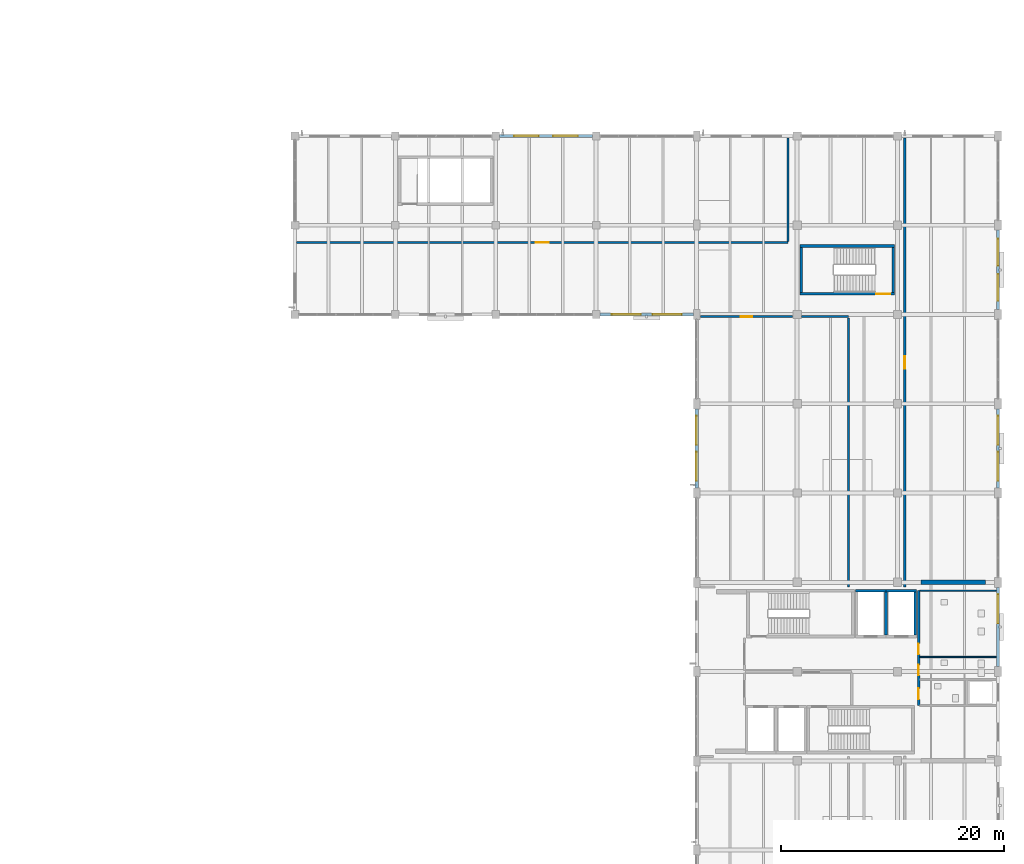
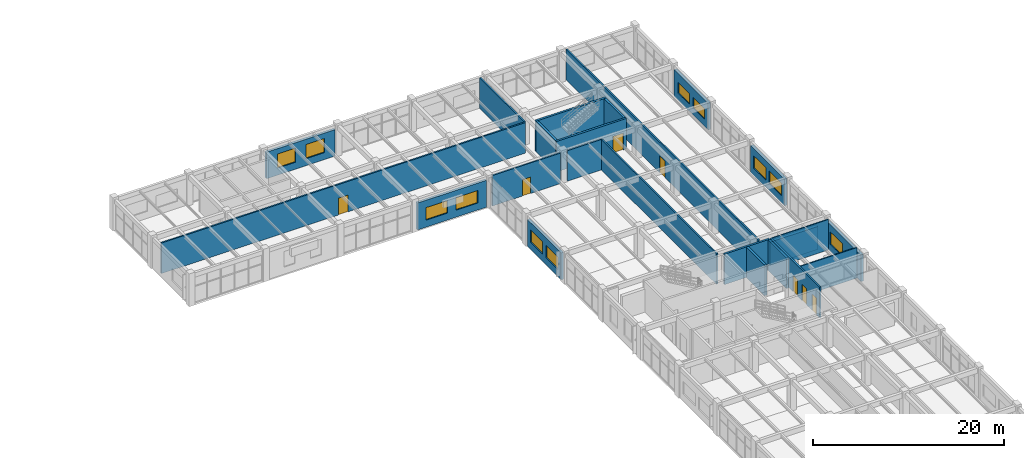
# One storey, part 113 of 128: 24 walls, 11 windows, 7 doors, 18 openings.
"""IFC4 building model written with IfcOpenShell, lengths in metres."""

from ifc_helpers import new_model, si_unit, derived_unit, direction, frame, frame_2d, origin, place, context, subcontext, project, spatial, rectangle, extrude, material, layer, layer_set, type_object, element, fill, save


model = new_model("IFC4")

# Units and contexts
model_context = context("Model", 3, precision=1e-05, world=origin(), true_north=direction((0.0, 1.0)))
body_context = subcontext(model_context, "Body", "Model", "MODEL_VIEW")
ifc_project = project(units=[si_unit("LENGTHUNIT", "METRE"), si_unit("AREAUNIT", "SQUARE_METRE"), si_unit("VOLUMEUNIT", "CUBIC_METRE"), si_unit("PLANEANGLEUNIT", "RADIAN"), si_unit("MASSUNIT", "GRAM", prefix="KILO"), derived_unit("THERMALTRANSMITTANCEUNIT", [(si_unit("MASSUNIT", "GRAM", prefix="KILO"), 1), (si_unit("TIMEUNIT", "SECOND"), -3), (si_unit("THERMODYNAMICTEMPERATUREUNIT", "KELVIN"), -1)])], contexts=[model_context])

# Site, building, storey
site_placement = place(None, origin())
site = spatial("IfcSite", under=ifc_project, at=site_placement, CompositionType="ELEMENT")
building_placement = place(site_placement, origin())
building = spatial("IfcBuilding", under=site, at=building_placement, Name="Zhenchuan Archway Interchange", CompositionType="ELEMENT")
storey_placement = place(building_placement, frame((0.0, 0.0, 14.39990234375)))
storey = spatial("IfcBuildingStorey", under=building, at=storey_placement, Name="L03", CompositionType="ELEMENT", Elevation=14.39990234375)

# Wall, openings, windows
ifc_material_1 = material(Name="Terracotta Masonry", Category="masonry")
ifc_layer_1 = layer(ifc_material_1, 0.300048828125)
ifc_layer_set_1 = layer_set([ifc_layer_1], Name="Terracotta Masonry")
wall_type_1 = type_object("IfcWallType", Name="EW_TERRA_300", PredefinedType="STANDARD", material=ifc_layer_set_1)
wall_1_placement = place(storey_placement, frame((144.0, 72.447998046875, 0.0), z_axis=(0.0, 0.0, 1.0), x_axis=(0.0, 1.0, 0.0)))
wall_1 = element("IfcWall", 1, at=wall_1_placement, inside=storey, type_object=wall_type_1, Name="Exterior wall L03-011", PredefinedType="STANDARD", context=body_context, shape_type="SweptSolid", body=[
    extrude(rectangle(XDim=7.10400390625, YDim=0.300048828125, at=frame_2d((3.552001953125, 0.0))), origin(), (0.0, 0.0, 1.0), 3.43017578125),
])
opening_1_placement = place(wall_1_placement, frame((0.634765625, 0.0, 0.89990234375)))
opening_1 = element("IfcOpeningElement", 2, at=opening_1_placement, cuts=wall_1, Name="Opening W-09", PredefinedType="OPENING", context=body_context, shape_type="SweptSolid", body=[
    extrude(rectangle(XDim=2.60009765625, YDim=1.60009765625, at=frame_2d((1.300048828125, 0.800048828125))), frame((0.0, 0.162109375, 0.0), z_axis=(0.0, -1.0, 0.0), x_axis=(1.0, 0.0, 0.0)), (0.0, 0.0, 1.0), 0.323974609375),
])
opening_2_placement = place(wall_1_placement, frame((3.869384765625, 0.0, 0.89990234375)))
opening_2 = element("IfcOpeningElement", 3, at=opening_2_placement, cuts=wall_1, Name="Opening W-09", PredefinedType="OPENING", context=body_context, shape_type="SweptSolid", body=[
    extrude(rectangle(XDim=2.60009765625, YDim=1.60009765625, at=frame_2d((1.300048828125, 0.800048828125))), frame((0.0, 0.162109375, 0.0), z_axis=(0.0, -1.0, 0.0), x_axis=(1.0, 0.0, 0.0)), (0.0, 0.0, 1.0), 0.323974609375),
])
ifc_material_2 = material(Name="Double Low-E Insulated Glazing", Category="glass")
window_type_1 = type_object("IfcWindowType", Name="WN_MOD_2600x1600", PartitioningType="SINGLE_PANEL", PredefinedType="WINDOW", material=ifc_material_2)
window_1_placement = place(opening_1_placement, origin())
window_1 = element("IfcWindow", 4, at=window_1_placement, inside=storey, type_object=window_type_1, Name="Window L03-0274", OverallHeight=1.60009765625, OverallWidth=2.60009765625, PartitioningType="SINGLE_PANEL", PredefinedType="WINDOW", context=body_context, shape_type="SweptSolid", body=[
    extrude(rectangle(XDim=2.60009765625, YDim=1.60009765625, at=frame_2d((1.300048828125, 0.800048828125))), frame((0.0, 0.030029296875, 0.0), z_axis=(0.0, -1.0, 0.0), x_axis=(1.0, 0.0, 0.0)), (0.0, 0.0, 1.0), 0.06005859375),
])
fill(opening_1, window_1)
window_2_placement = place(opening_2_placement, origin())
window_2 = element("IfcWindow", 5, at=window_2_placement, inside=storey, type_object=window_type_1, Name="Window L03-0275", OverallHeight=1.60009765625, OverallWidth=2.60009765625, PartitioningType="SINGLE_PANEL", PredefinedType="WINDOW", context=body_context, shape_type="SweptSolid", body=[
    extrude(rectangle(XDim=2.60009765625, YDim=1.60009765625, at=frame_2d((1.300048828125, 0.800048828125))), frame((0.0, 0.030029296875, 0.0), z_axis=(0.0, -1.0, 0.0), x_axis=(1.0, 0.0, 0.0)), (0.0, 0.0, 1.0), 0.06005859375),
])
fill(opening_2, window_2)

wall_2_placement = place(storey_placement, frame((143.701904296875, 88.0, 0.0), z_axis=(0.0, 0.0, 1.0), x_axis=(-1.0, 0.0, 0.0)))
wall_2 = element("IfcWall", 6, at=wall_2_placement, inside=storey, type_object=wall_type_1, Name="Exterior wall L03-013", PredefinedType="STANDARD", context=body_context, shape_type="SweptSolid", body=[
    extrude(rectangle(XDim=8.35400390625, YDim=0.300048828125, at=frame_2d((4.177001953125, 0.0))), origin(), (0.0, 0.0, 1.0), 3.440185546875),
])
opening_3_placement = place(wall_2_placement, frame((1.05126953125, 0.0, 0.89990234375)))
opening_3 = element("IfcOpeningElement", 7, at=opening_3_placement, cuts=wall_2, Name="Opening W-09", PredefinedType="OPENING", context=body_context, shape_type="SweptSolid", body=[
    extrude(rectangle(XDim=2.60009765625, YDim=1.60009765625, at=frame_2d((1.300048828125, 0.800048828125))), frame((0.0, 0.162109375, 0.0), z_axis=(0.0, -1.0, 0.0), x_axis=(1.0, 0.0, 0.0)), (0.0, 0.0, 1.0), 0.323974609375),
])
opening_4_placement = place(wall_2_placement, frame((4.70263671875, 0.0, 0.89990234375)))
opening_4 = element("IfcOpeningElement", 8, at=opening_4_placement, cuts=wall_2, Name="Opening W-09", PredefinedType="OPENING", context=body_context, shape_type="SweptSolid", body=[
    extrude(rectangle(XDim=2.60009765625, YDim=1.60009765625, at=frame_2d((1.300048828125, 0.800048828125))), frame((0.0, 0.162109375, 0.0), z_axis=(0.0, -1.0, 0.0), x_axis=(1.0, 0.0, 0.0)), (0.0, 0.0, 1.0), 0.323974609375),
])
window_3_placement = place(opening_3_placement, origin())
window_3 = element("IfcWindow", 9, at=window_3_placement, inside=storey, type_object=window_type_1, Name="Window L03-0276", OverallHeight=1.60009765625, OverallWidth=2.60009765625, PartitioningType="SINGLE_PANEL", PredefinedType="WINDOW", context=body_context, shape_type="SweptSolid", body=[
    extrude(rectangle(XDim=2.60009765625, YDim=1.60009765625, at=frame_2d((1.300048828125, 0.800048828125))), frame((0.0, 0.030029296875, 0.0), z_axis=(0.0, -1.0, 0.0), x_axis=(1.0, 0.0, 0.0)), (0.0, 0.0, 1.0), 0.06005859375),
])
fill(opening_3, window_3)
window_4_placement = place(opening_4_placement, origin())
window_4 = element("IfcWindow", 10, at=window_4_placement, inside=storey, type_object=window_type_1, Name="Window L03-0277", OverallHeight=1.60009765625, OverallWidth=2.60009765625, PartitioningType="SINGLE_PANEL", PredefinedType="WINDOW", context=body_context, shape_type="SweptSolid", body=[
    extrude(rectangle(XDim=2.60009765625, YDim=1.60009765625, at=frame_2d((1.300048828125, 0.800048828125))), frame((0.0, 0.030029296875, 0.0), z_axis=(0.0, -1.0, 0.0), x_axis=(1.0, 0.0, 0.0)), (0.0, 0.0, 1.0), 0.06005859375),
])
fill(opening_4, window_4)

wall_3_placement = place(storey_placement, frame((126.347900390625, 104.0, 0.0), z_axis=(0.0, 0.0, 1.0), x_axis=(1.0, 0.0, 0.0)))
wall_3 = element("IfcWall", 11, at=wall_3_placement, inside=storey, type_object=wall_type_1, Name="Exterior wall L03-021", PredefinedType="STANDARD", context=body_context, shape_type="SweptSolid", body=[
    extrude(rectangle(XDim=8.30419921875, YDim=0.300048828125, at=frame_2d((4.152099609375, 0.0))), origin(), (0.0, 0.0, 1.0), 3.39013671875),
])
opening_5_placement = place(wall_3_placement, frame((1.30126953125, 0.0, 0.89990234375)))
opening_5 = element("IfcOpeningElement", 12, at=opening_5_placement, cuts=wall_3, Name="Opening W-08", PredefinedType="OPENING", context=body_context, shape_type="SweptSolid", body=[
    extrude(rectangle(XDim=2.199951171875, YDim=1.800048828125, at=frame_2d((1.10009765625, 0.89990234375))), frame((0.0, 0.162109375, 0.0), z_axis=(0.0, -1.0, 0.0), x_axis=(1.0, 0.0, 0.0)), (0.0, 0.0, 1.0), 0.323974609375),
])
opening_6_placement = place(wall_3_placement, frame((4.802734375, 0.0, 0.89990234375)))
opening_6 = element("IfcOpeningElement", 13, at=opening_6_placement, cuts=wall_3, Name="Opening W-08", PredefinedType="OPENING", context=body_context, shape_type="SweptSolid", body=[
    extrude(rectangle(XDim=2.199951171875, YDim=1.800048828125, at=frame_2d((1.10009765625, 0.89990234375))), frame((0.0, 0.162109375, 0.0), z_axis=(0.0, -1.0, 0.0), x_axis=(1.0, 0.0, 0.0)), (0.0, 0.0, 1.0), 0.323974609375),
])
window_type_2 = type_object("IfcWindowType", Name="WN_MOD_2200x1800", PartitioningType="SINGLE_PANEL", PredefinedType="WINDOW", material=ifc_material_2)
window_5_placement = place(opening_5_placement, origin())
window_5 = element("IfcWindow", 14, at=window_5_placement, inside=storey, type_object=window_type_2, Name="Window L03-0283", OverallHeight=1.800048828125, OverallWidth=2.199951171875, PartitioningType="SINGLE_PANEL", PredefinedType="WINDOW", context=body_context, shape_type="SweptSolid", body=[
    extrude(rectangle(XDim=2.199951171875, YDim=1.800048828125, at=frame_2d((1.10009765625, 0.89990234375))), frame((0.0, 0.030029296875, 0.0), z_axis=(0.0, -1.0, 0.0), x_axis=(1.0, 0.0, 0.0)), (0.0, 0.0, 1.0), 0.06005859375),
])
fill(opening_5, window_5)
window_6_placement = place(opening_6_placement, origin())
window_6 = element("IfcWindow", 15, at=window_6_placement, inside=storey, type_object=window_type_2, Name="Window L03-0284", OverallHeight=1.800048828125, OverallWidth=2.199951171875, PartitioningType="SINGLE_PANEL", PredefinedType="WINDOW", context=body_context, shape_type="SweptSolid", body=[
    extrude(rectangle(XDim=2.199951171875, YDim=1.800048828125, at=frame_2d((1.10009765625, 0.89990234375))), frame((0.0, 0.030029296875, 0.0), z_axis=(0.0, -1.0, 0.0), x_axis=(1.0, 0.0, 0.0)), (0.0, 0.0, 1.0), 0.06005859375),
])
fill(opening_6, window_6)

wall_4_placement = place(storey_placement, frame((171.0, 95.552001953125, 0.0), z_axis=(0.0, 0.0, 1.0), x_axis=(0.0, -1.0, 0.0)))
wall_4 = element("IfcWall", 16, at=wall_4_placement, inside=storey, type_object=wall_type_1, Name="Exterior wall L03-027", PredefinedType="STANDARD", context=body_context, shape_type="SweptSolid", body=[
    extrude(rectangle(XDim=7.10400390625, YDim=0.300048828125, at=frame_2d((3.552001953125, 0.0))), origin(), (0.0, 0.0, 1.0), 3.43017578125),
])
opening_7_placement = place(wall_4_placement, frame((0.76806640625, 0.0, 0.89990234375)))
opening_7 = element("IfcOpeningElement", 17, at=opening_7_placement, cuts=wall_4, Name="Opening W-11", PredefinedType="OPENING", context=body_context, shape_type="SweptSolid", body=[
    extrude(rectangle(XDim=2.39990234375, YDim=1.35009765625, at=frame_2d((1.199951171875, 0.675048828125))), frame((0.0, 0.162109375, 0.0), z_axis=(0.0, -1.0, 0.0), x_axis=(1.0, 0.0, 0.0)), (0.0, 0.0, 1.0), 0.323974609375),
])
opening_8_placement = place(wall_4_placement, frame((3.93603515625, 0.0, 0.89990234375)))
opening_8 = element("IfcOpeningElement", 18, at=opening_8_placement, cuts=wall_4, Name="Opening W-11", PredefinedType="OPENING", context=body_context, shape_type="SweptSolid", body=[
    extrude(rectangle(XDim=2.39990234375, YDim=1.35009765625, at=frame_2d((1.199951171875, 0.675048828125))), frame((0.0, 0.162109375, 0.0), z_axis=(0.0, -1.0, 0.0), x_axis=(1.0, 0.0, 0.0)), (0.0, 0.0, 1.0), 0.323974609375),
])
window_type_3 = type_object("IfcWindowType", Name="WN_CLER_2400x1350", PartitioningType="SINGLE_PANEL", PredefinedType="WINDOW", material=ifc_material_2)
window_7_placement = place(opening_7_placement, origin())
window_7 = element("IfcWindow", 19, at=window_7_placement, inside=storey, type_object=window_type_3, Name="Window L03-0289", OverallHeight=1.35009765625, OverallWidth=2.39990234375, PartitioningType="SINGLE_PANEL", PredefinedType="WINDOW", context=body_context, shape_type="SweptSolid", body=[
    extrude(rectangle(XDim=2.39990234375, YDim=1.35009765625, at=frame_2d((1.199951171875, 0.675048828125))), frame((0.0, 0.030029296875, 0.0), z_axis=(0.0, -1.0, 0.0), x_axis=(1.0, 0.0, 0.0)), (0.0, 0.0, 1.0), 0.06005859375),
])
fill(opening_7, window_7)
window_8_placement = place(opening_8_placement, origin())
window_8 = element("IfcWindow", 20, at=window_8_placement, inside=storey, type_object=window_type_3, Name="Window L03-0290", OverallHeight=1.35009765625, OverallWidth=2.39990234375, PartitioningType="SINGLE_PANEL", PredefinedType="WINDOW", context=body_context, shape_type="SweptSolid", body=[
    extrude(rectangle(XDim=2.39990234375, YDim=1.35009765625, at=frame_2d((1.199951171875, 0.675048828125))), frame((0.0, 0.030029296875, 0.0), z_axis=(0.0, -1.0, 0.0), x_axis=(1.0, 0.0, 0.0)), (0.0, 0.0, 1.0), 0.06005859375),
])
fill(opening_8, window_8)

wall_5_placement = place(storey_placement, frame((171.0, 79.552001953125, 0.0), z_axis=(0.0, 0.0, 1.0), x_axis=(0.0, -1.0, 0.0)))
wall_5 = element("IfcWall", 21, at=wall_5_placement, inside=storey, type_object=wall_type_1, Name="Exterior wall L03-029", PredefinedType="STANDARD", context=body_context, shape_type="SweptSolid", body=[
    extrude(rectangle(XDim=7.10400390625, YDim=0.300048828125, at=frame_2d((3.552001953125, 0.0))), origin(), (0.0, 0.0, 1.0), 3.43017578125),
])
opening_9_placement = place(wall_5_placement, frame((0.634765625, 0.0, 0.89990234375)))
opening_9 = element("IfcOpeningElement", 22, at=opening_9_placement, cuts=wall_5, Name="Opening W-09", PredefinedType="OPENING", context=body_context, shape_type="SweptSolid", body=[
    extrude(rectangle(XDim=2.60009765625, YDim=1.60009765625, at=frame_2d((1.300048828125, 0.800048828125))), frame((0.0, 0.162109375, 0.0), z_axis=(0.0, -1.0, 0.0), x_axis=(1.0, 0.0, 0.0)), (0.0, 0.0, 1.0), 0.323974609375),
])
opening_10_placement = place(wall_5_placement, frame((3.869384765625, 0.0, 0.89990234375)))
opening_10 = element("IfcOpeningElement", 23, at=opening_10_placement, cuts=wall_5, Name="Opening W-09", PredefinedType="OPENING", context=body_context, shape_type="SweptSolid", body=[
    extrude(rectangle(XDim=2.60009765625, YDim=1.60009765625, at=frame_2d((1.300048828125, 0.800048828125))), frame((0.0, 0.162109375, 0.0), z_axis=(0.0, -1.0, 0.0), x_axis=(1.0, 0.0, 0.0)), (0.0, 0.0, 1.0), 0.323974609375),
])
window_9_placement = place(opening_9_placement, origin())
window_9 = element("IfcWindow", 24, at=window_9_placement, inside=storey, type_object=window_type_1, Name="Window L03-0291", OverallHeight=1.60009765625, OverallWidth=2.60009765625, PartitioningType="SINGLE_PANEL", PredefinedType="WINDOW", context=body_context, shape_type="SweptSolid", body=[
    extrude(rectangle(XDim=2.60009765625, YDim=1.60009765625, at=frame_2d((1.300048828125, 0.800048828125))), frame((0.0, 0.030029296875, 0.0), z_axis=(0.0, -1.0, 0.0), x_axis=(1.0, 0.0, 0.0)), (0.0, 0.0, 1.0), 0.06005859375),
])
fill(opening_9, window_9)
window_10_placement = place(opening_10_placement, origin())
window_10 = element("IfcWindow", 25, at=window_10_placement, inside=storey, type_object=window_type_1, Name="Window L03-0292", OverallHeight=1.60009765625, OverallWidth=2.60009765625, PartitioningType="SINGLE_PANEL", PredefinedType="WINDOW", context=body_context, shape_type="SweptSolid", body=[
    extrude(rectangle(XDim=2.60009765625, YDim=1.60009765625, at=frame_2d((1.300048828125, 0.800048828125))), frame((0.0, 0.030029296875, 0.0), z_axis=(0.0, -1.0, 0.0), x_axis=(1.0, 0.0, 0.0)), (0.0, 0.0, 1.0), 0.06005859375),
])
fill(opening_10, window_10)

# Wall, opening, window
wall_6_placement = place(storey_placement, frame((171.0, 63.552001953125, 0.0), z_axis=(0.0, 0.0, 1.0), x_axis=(0.0, -1.0, 0.0)))
wall_6 = element("IfcWall", 26, at=wall_6_placement, inside=storey, type_object=wall_type_1, Name="Exterior wall L03-031", PredefinedType="STANDARD", context=body_context, shape_type="SweptSolid", body=[
    extrude(rectangle(XDim=7.10400390625, YDim=0.300048828125, at=frame_2d((3.552001953125, 0.0))), origin(), (0.0, 0.0, 1.0), 3.43017578125),
])
opening_11_placement = place(wall_6_placement, frame((0.634765625, 0.0, 0.89990234375)))
opening_11 = element("IfcOpeningElement", 27, at=opening_11_placement, cuts=wall_6, Name="Opening W-09", PredefinedType="OPENING", context=body_context, shape_type="SweptSolid", body=[
    extrude(rectangle(XDim=2.60009765625, YDim=1.60009765625, at=frame_2d((1.300048828125, 0.800048828125))), frame((0.0, 0.162109375, 0.0), z_axis=(0.0, -1.0, 0.0), x_axis=(1.0, 0.0, 0.0)), (0.0, 0.0, 1.0), 0.323974609375),
])
window_11_placement = place(opening_11_placement, origin())
window_11 = element("IfcWindow", 28, at=window_11_placement, inside=storey, type_object=window_type_1, Name="Window L03-0293", OverallHeight=1.60009765625, OverallWidth=2.60009765625, PartitioningType="SINGLE_PANEL", PredefinedType="WINDOW", context=body_context, shape_type="SweptSolid", body=[
    extrude(rectangle(XDim=2.60009765625, YDim=1.60009765625, at=frame_2d((1.300048828125, 0.800048828125))), frame((0.0, 0.030029296875, 0.0), z_axis=(0.0, -1.0, 0.0), x_axis=(1.0, 0.0, 0.0)), (0.0, 0.0, 1.0), 0.06005859375),
])
fill(opening_11, window_11)

# Wall
ifc_material_3 = material(Name="Concrete C50", Category="concrete")
ifc_layer_2 = layer(ifc_material_3, 0.3798828125)
ifc_layer_set_2 = layer_set([ifc_layer_2], Name="Concrete C50")
wall_type_2 = type_object("IfcWallType", Name="WL_CORE_380", PredefinedType="SHEAR", material=ifc_layer_set_2)
wall_7_placement = place(storey_placement, frame((164.10009765625, 64.0, 0.0), z_axis=(0.0, 0.0, 1.0), x_axis=(1.0, 0.0, 0.0)))
element("IfcWall", 29, at=wall_7_placement, inside=storey, type_object=wall_type_2, Name="Operations lateral shear wall E-N (L03)", PredefinedType="SHEAR", context=body_context, shape_type="SweptSolid", body=[
    extrude(rectangle(XDim=5.7998046875, YDim=0.3798828125, at=frame_2d((2.89990234375, 0.0))), origin(), (0.0, 0.0, 1.0), 2.9501953125),
])

# Wall, openings, doors
ifc_material_4 = material(Name="Autoclaved Aerated Concrete Block", Category="concrete")
ifc_layer_3 = layer(ifc_material_4, 0.199951171875)
ifc_layer_set_3 = layer_set([ifc_layer_3], Name="Autoclaved Aerated Concrete Block")
wall_type_3 = type_object("IfcWallType", Name="WL_FIRE_200", PredefinedType="STANDARD", material=ifc_layer_set_3)
wall_8_placement = place(storey_placement, frame((163.89990234375, 52.949951171875, 0.0), z_axis=(0.0, 0.0, 1.0), x_axis=(0.0, 1.0, 0.0)))
wall_8 = element("IfcWall", 30, at=wall_8_placement, inside=storey, type_object=wall_type_3, Name="Sanitary block west wall (L03)", PredefinedType="STANDARD", context=body_context, shape_type="SweptSolid", body=[
    extrude(rectangle(XDim=10.300048828125, YDim=0.199951171875, at=frame_2d((5.14990234375, 0.0))), origin(), (0.0, 0.0, 1.0), 3.900146484375),
])
opening_12_placement = place(wall_8_placement, frame((0.550048828125, 0.0, 0.0)))
opening_12 = element("IfcOpeningElement", 31, at=opening_12_placement, cuts=wall_8, Name="Opening ID-02", PredefinedType="OPENING", context=body_context, shape_type="SweptSolid", body=[
    extrude(rectangle(XDim=1.0, YDim=2.10009765625, at=frame_2d((0.5, 1.050048828125))), frame((0.0, 0.11181640625, 0.0), z_axis=(0.0, -1.0, 0.0), x_axis=(1.0, 0.0, 0.0)), (0.0, 0.0, 1.0), 0.223876953125),
])
opening_13_placement = place(wall_8_placement, frame((2.699951171875, 0.0, 0.0)))
opening_13 = element("IfcOpeningElement", 32, at=opening_13_placement, cuts=wall_8, Name="Opening ID-03", PredefinedType="OPENING", context=body_context, shape_type="SweptSolid", body=[
    extrude(rectangle(XDim=0.949951171875, YDim=2.10009765625, at=frame_2d((0.47509765625, 1.050048828125))), frame((0.0, 0.11181640625, 0.0), z_axis=(0.0, -1.0, 0.0), x_axis=(1.0, 0.0, 0.0)), (0.0, 0.0, 1.0), 0.223876953125),
])
opening_14_placement = place(wall_8_placement, frame((4.60009765625, 0.0, 0.0)))
opening_14 = element("IfcOpeningElement", 33, at=opening_14_placement, cuts=wall_8, Name="Opening ID-03", PredefinedType="OPENING", context=body_context, shape_type="SweptSolid", body=[
    extrude(rectangle(XDim=0.949951171875, YDim=2.10009765625, at=frame_2d((0.47509765625, 1.050048828125))), frame((0.0, 0.11181640625, 0.0), z_axis=(0.0, -1.0, 0.0), x_axis=(1.0, 0.0, 0.0)), (0.0, 0.0, 1.0), 0.223876953125),
])
ifc_material_5 = material(Name="Hardwood Timber", Category="wood")
door_type_1 = type_object("IfcDoorType", Name="DR_OPS_100", OperationType="NOTDEFINED", PredefinedType="DOOR", material=ifc_material_5)
door_1_placement = place(opening_12_placement, origin())
door_1 = element("IfcDoor", 34, at=door_1_placement, inside=storey, type_object=door_type_1, Name="Accessible WC door (L03)", OperationType="SINGLE_SWING_LEFT", OverallHeight=2.10009765625, OverallWidth=1.0, PredefinedType="DOOR", context=body_context, shape_type="SweptSolid", body=[
    extrude(rectangle(XDim=1.0, YDim=2.10009765625, at=frame_2d((0.5, 1.050048828125))), frame((0.0, 0.02490234375, 0.0), z_axis=(0.0, -1.0, 0.0), x_axis=(1.0, 0.0, 0.0)), (0.0, 0.0, 1.0), 0.050048828125),
])
fill(opening_12, door_1)
door_type_2 = type_object("IfcDoorType", Name="DR_WC_95", OperationType="NOTDEFINED", PredefinedType="DOOR", material=ifc_material_5)
door_2_placement = place(opening_13_placement, origin())
door_2 = element("IfcDoor", 35, at=door_2_placement, inside=storey, type_object=door_type_2, Name="Male toilet door (L03)", OperationType="SINGLE_SWING_RIGHT", OverallHeight=2.10009765625, OverallWidth=0.949951171875, PredefinedType="DOOR", context=body_context, shape_type="SweptSolid", body=[
    extrude(rectangle(XDim=0.949951171875, YDim=2.10009765625, at=frame_2d((0.47509765625, 1.050048828125))), frame((0.0, 0.02490234375, 0.0), z_axis=(0.0, -1.0, 0.0), x_axis=(1.0, 0.0, 0.0)), (0.0, 0.0, 1.0), 0.050048828125),
])
fill(opening_13, door_2)
door_3_placement = place(opening_14_placement, origin())
door_3 = element("IfcDoor", 36, at=door_3_placement, inside=storey, type_object=door_type_2, Name="Female toilet door (L03)", OperationType="SINGLE_SWING_LEFT", OverallHeight=2.10009765625, OverallWidth=0.949951171875, PredefinedType="DOOR", context=body_context, shape_type="SweptSolid", body=[
    extrude(rectangle(XDim=0.949951171875, YDim=2.10009765625, at=frame_2d((0.47509765625, 1.050048828125))), frame((0.0, 0.02490234375, 0.0), z_axis=(0.0, -1.0, 0.0), x_axis=(1.0, 0.0, 0.0)), (0.0, 0.0, 1.0), 0.050048828125),
])
fill(opening_14, door_3)

# Walls
ifc_material_6 = material(Name="Concrete C40", Category="concrete")
ifc_layer_4 = layer(ifc_material_6, 0.239990234375)
ifc_layer_set_4 = layer_set([ifc_layer_4], Name="Concrete C40")
wall_type_4 = type_object("IfcWallType", Name="WL_LIFT_240", PredefinedType="SHEAR", material=ifc_layer_set_4)
wall_9_placement = place(storey_placement, frame((160.97509765625, 63.25, 0.0), z_axis=(0.0, 0.0, 1.0), x_axis=(-1.0, 0.0, 0.0)))
element("IfcWall", 37, at=wall_9_placement, inside=storey, type_object=wall_type_4, Name="Lift LF-06 north shaft wall (L03)", PredefinedType="SHEAR", context=body_context, shape_type="SweptSolid", body=[
    extrude(rectangle(XDim=2.7451171875, YDim=0.239990234375, at=frame_2d((1.37255859375, 0.0))), origin(), (0.0, 0.0, 1.0), 3.900146484375),
])
wall_10_placement = place(storey_placement, frame((160.97509765625, 59.27001953125, 0.0), z_axis=(0.0, 0.0, 1.0), x_axis=(0.0, 1.0, 0.0)))
element("IfcWall", 38, at=wall_10_placement, inside=storey, type_object=wall_type_4, Name="Lift LF-06 east shaft wall (L03)", PredefinedType="SHEAR", context=body_context, shape_type="SweptSolid", body=[
    extrude(rectangle(XDim=3.85986328125, YDim=0.239990234375, at=frame_2d((1.929931640625, 0.0))), origin(), (0.0, 0.0, 1.0), 3.900146484375),
])
wall_11_placement = place(storey_placement, frame((163.719970703125, 63.25, 0.0), z_axis=(0.0, 0.0, 1.0), x_axis=(-1.0, 0.0, 0.0)))
element("IfcWall", 39, at=wall_11_placement, inside=storey, type_object=wall_type_4, Name="Lift LF-07 north shaft wall (L03)", PredefinedType="SHEAR", context=body_context, shape_type="SweptSolid", body=[
    extrude(rectangle(XDim=2.744873046875, YDim=0.239990234375, at=frame_2d((1.37255859375, 0.0))), origin(), (0.0, 0.0, 1.0), 3.900146484375),
])
wall_12_placement = place(storey_placement, frame((163.60009765625, 59.27001953125, 0.0), z_axis=(0.0, 0.0, 1.0), x_axis=(0.0, 1.0, 0.0)))
element("IfcWall", 40, at=wall_12_placement, inside=storey, type_object=wall_type_4, Name="Lift LF-07 east shaft wall (L03)", PredefinedType="SHEAR", context=body_context, shape_type="SweptSolid", body=[
    extrude(rectangle(XDim=3.85986328125, YDim=0.239990234375, at=frame_2d((1.929931640625, 0.0))), origin(), (0.0, 0.0, 1.0), 3.900146484375),
])

# Wall, opening, door
ifc_material_7 = material(Name="Concrete Block Masonry", Category="masonry")
ifc_layer_5 = layer(ifc_material_7, 0.179931640625)
ifc_layer_set_5 = layer_set([ifc_layer_5], Name="Concrete Block Masonry")
wall_type_5 = type_object("IfcWallType", Name="WL_PART_180", PredefinedType="STANDARD", material=ifc_layer_set_5)
wall_13_placement = place(storey_placement, frame((108.1650390625, 94.449951171875, 0.0), z_axis=(0.0, 0.0, 1.0), x_axis=(1.0, 0.0, 0.0)))
wall_13 = element("IfcWall", 41, at=wall_13_placement, inside=storey, type_object=wall_type_5, Name="Multimodal Timetable Planning Suite S partition (L03)", PredefinedType="STANDARD", context=body_context, shape_type="SweptSolid", body=[
    extrude(rectangle(XDim=44.034912109375, YDim=0.179931640625, at=frame_2d((22.017578125, 0.0))), origin(), (0.0, 0.0, 1.0), 3.900146484375),
])
opening_15_placement = place(wall_13_placement, frame((21.425048828125, 0.0, 0.0)))
opening_15 = element("IfcOpeningElement", 42, at=opening_15_placement, cuts=wall_13, Name="Opening ID-06", PredefinedType="OPENING", context=body_context, shape_type="SweptSolid", body=[
    extrude(rectangle(XDim=1.14990234375, YDim=2.14990234375, at=frame_2d((0.574951171875, 1.074951171875))), frame((0.0, 0.10205078125, 0.0), z_axis=(0.0, -1.0, 0.0), x_axis=(1.0, 0.0, 0.0)), (0.0, 0.0, 1.0), 0.203857421875),
])
door_type_3 = type_object("IfcDoorType", Name="DR_CTRL_115", OperationType="NOTDEFINED", PredefinedType="DOOR", material=ifc_material_5)
door_4_placement = place(opening_15_placement, origin())
door_4 = element("IfcDoor", 43, at=door_4_placement, inside=storey, type_object=door_type_3, Name="Multimodal Timetable Planning Suite door (L03)", OperationType="SINGLE_SWING_LEFT", OverallHeight=2.14990234375, OverallWidth=1.14990234375, PredefinedType="DOOR", context=body_context, shape_type="SweptSolid", body=[
    extrude(rectangle(XDim=1.14990234375, YDim=2.14990234375, at=frame_2d((0.574951171875, 1.074951171875))), frame((0.0, 0.02490234375, 0.0), z_axis=(0.0, -1.0, 0.0), x_axis=(1.0, 0.0, 0.0)), (0.0, 0.0, 1.0), 0.050048828125),
])
fill(opening_15, door_4)

# Wall
wall_14_placement = place(storey_placement, frame((152.199951171875, 94.550048828125, 0.0), z_axis=(0.0, 0.0, 1.0), x_axis=(0.0, 1.0, 0.0)))
element("IfcWall", 44, at=wall_14_placement, inside=storey, type_object=wall_type_5, Name="Multimodal Timetable Planning Suite E partition (L03)", PredefinedType="STANDARD", context=body_context, shape_type="SweptSolid", body=[
    extrude(rectangle(XDim=9.284912109375, YDim=0.179931640625, at=frame_2d((4.642578125, 0.0))), origin(), (0.0, 0.0, 1.0), 3.900146484375),
])

# Wall, opening, door
wall_15_placement = place(storey_placement, frame((162.64990234375, 63.60009765625, 0.0), z_axis=(0.0, 0.0, 1.0), x_axis=(0.0, 1.0, 0.0)))
wall_15 = element("IfcWall", 45, at=wall_15_placement, inside=storey, type_object=wall_type_5, Name="Regional Fare Clearing and Audit Suite W partition (L03)", PredefinedType="STANDARD", context=body_context, shape_type="SweptSolid", body=[
    extrude(rectangle(XDim=40.23486328125, YDim=0.179931640625, at=frame_2d((20.117431640625, 0.0))), origin(), (0.0, 0.0, 1.0), 3.900146484375),
])
opening_16_placement = place(wall_15_placement, frame((19.52490234375, 0.0, 0.0)))
opening_16 = element("IfcOpeningElement", 46, at=opening_16_placement, cuts=wall_15, Name="Opening ID-06", PredefinedType="OPENING", context=body_context, shape_type="SweptSolid", body=[
    extrude(rectangle(XDim=1.14990234375, YDim=2.14990234375, at=frame_2d((0.574951171875, 1.074951171875))), frame((0.0, 0.10205078125, 0.0), z_axis=(0.0, -1.0, 0.0), x_axis=(1.0, 0.0, 0.0)), (0.0, 0.0, 1.0), 0.203857421875),
])
door_5_placement = place(opening_16_placement, origin())
door_5 = element("IfcDoor", 47, at=door_5_placement, inside=storey, type_object=door_type_3, Name="Regional Fare Clearing and Audit Suite door (L03)", OperationType="SINGLE_SWING_LEFT", OverallHeight=2.14990234375, OverallWidth=1.14990234375, PredefinedType="DOOR", context=body_context, shape_type="SweptSolid", body=[
    extrude(rectangle(XDim=1.14990234375, YDim=2.14990234375, at=frame_2d((0.574951171875, 1.074951171875))), frame((0.0, 0.02490234375, 0.0), z_axis=(0.0, -1.0, 0.0), x_axis=(1.0, 0.0, 0.0)), (0.0, 0.0, 1.0), 0.050048828125),
])
fill(opening_16, door_5)

wall_16_placement = place(storey_placement, frame((144.324951171875, 87.800048828125, 0.0), z_axis=(0.0, 0.0, 1.0), x_axis=(1.0, 0.0, 0.0)))
wall_16 = element("IfcWall", 48, at=wall_16_placement, inside=storey, type_object=wall_type_5, Name="Shift Controllers Quiet Recovery Lounge N partition (L03)", PredefinedType="STANDARD", context=body_context, shape_type="SweptSolid", body=[
    extrude(rectangle(XDim=8.275146484375, YDim=0.179931640625, at=frame_2d((4.1376953125, 0.0))), origin(), (0.0, 0.0, 1.0), 3.900146484375),
])
opening_17_placement = place(wall_16_placement, frame((3.637451171875, 0.0, 0.0)))
opening_17 = element("IfcOpeningElement", 49, at=opening_17_placement, cuts=wall_16, Name="Opening ID-02", PredefinedType="OPENING", context=body_context, shape_type="SweptSolid", body=[
    extrude(rectangle(XDim=1.0, YDim=2.10009765625, at=frame_2d((0.5, 1.050048828125))), frame((0.0, 0.10205078125, 0.0), z_axis=(0.0, -1.0, 0.0), x_axis=(1.0, 0.0, 0.0)), (0.0, 0.0, 1.0), 0.203857421875),
])
door_6_placement = place(opening_17_placement, origin())
door_6 = element("IfcDoor", 50, at=door_6_placement, inside=storey, type_object=door_type_1, Name="Shift Controllers Quiet Recovery Lounge door (L03)", OperationType="SINGLE_SWING_LEFT", OverallHeight=2.10009765625, OverallWidth=1.0, PredefinedType="DOOR", context=body_context, shape_type="SweptSolid", body=[
    extrude(rectangle(XDim=1.0, YDim=2.10009765625, at=frame_2d((0.5, 1.050048828125))), frame((0.0, 0.02490234375, 0.0), z_axis=(0.0, -1.0, 0.0), x_axis=(1.0, 0.0, 0.0)), (0.0, 0.0, 1.0), 0.050048828125),
])
fill(opening_17, door_6)

# Walls
wall_17_placement = place(storey_placement, frame((153.39990234375, 87.800048828125, 0.0), z_axis=(0.0, 0.0, 1.0), x_axis=(1.0, 0.0, 0.0)))
element("IfcWall", 51, at=wall_17_placement, inside=storey, type_object=wall_type_5, Name="Shift Controllers Quiet Recovery Lounge N partition (L03)", PredefinedType="STANDARD", context=body_context, shape_type="SweptSolid", body=[
    extrude(rectangle(XDim=4.2001953125, YDim=0.179931640625, at=frame_2d((2.10009765625, 0.0))), origin(), (0.0, 0.0, 1.0), 3.900146484375),
])
wall_18_placement = place(storey_placement, frame((157.60009765625, 63.60009765625, 0.0), z_axis=(0.0, 0.0, 1.0), x_axis=(0.0, 1.0, 0.0)))
element("IfcWall", 52, at=wall_18_placement, inside=storey, type_object=wall_type_5, Name="Shift Controllers Quiet Recovery Lounge E partition (L03)", PredefinedType="STANDARD", context=body_context, shape_type="SweptSolid", body=[
    extrude(rectangle(XDim=24.099853515625, YDim=0.179931640625, at=frame_2d((12.0498046875, 0.0))), origin(), (0.0, 0.0, 1.0), 3.900146484375),
])

# Wall, opening, door
ifc_layer_6 = layer(ifc_material_6, 0.25)
ifc_layer_set_6 = layer_set([ifc_layer_6], Name="Concrete C40")
wall_type_6 = type_object("IfcWallType", Name="WL_STAIR_250", PredefinedType="SHEAR", material=ifc_layer_set_6)
wall_19_placement = place(storey_placement, frame((153.2548828125, 89.85009765625, 0.0), z_axis=(0.0, 0.0, 1.0), x_axis=(1.0, 0.0, 0.0)))
wall_19 = element("IfcWall", 53, at=wall_19_placement, inside=storey, type_object=wall_type_6, Name="Stair ST-O3 south wall (L03)", PredefinedType="SHEAR", context=body_context, shape_type="SweptSolid", body=[
    extrude(rectangle(XDim=8.490234375, YDim=0.25, at=frame_2d((4.2451171875, 0.0))), origin(), (0.0, 0.0, 1.0), 3.900146484375),
])
opening_18_placement = place(wall_19_placement, frame((6.844970703125, 0.0, 0.0)))
opening_18 = element("IfcOpeningElement", 54, at=opening_18_placement, cuts=wall_19, Name="Opening FD-01", PredefinedType="OPENING", context=body_context, shape_type="SweptSolid", body=[
    extrude(rectangle(XDim=1.25, YDim=2.14990234375, at=frame_2d((0.625, 1.074951171875))), frame((0.0, 0.136962890625, 0.0), z_axis=(0.0, -1.0, 0.0), x_axis=(1.0, 0.0, 0.0)), (0.0, 0.0, 1.0), 0.27392578125),
])
ifc_material_8 = material(Name="Painted Galvanised Steel", Category="steel")
door_type_4 = type_object("IfcDoorType", Name="DR_STAIR_FD90", OperationType="NOTDEFINED", PredefinedType="DOOR", material=ifc_material_8)
door_7_placement = place(opening_18_placement, origin())
door_7 = element("IfcDoor", 55, at=door_7_placement, inside=storey, type_object=door_type_4, Name="Stair ST-O3 fire door (L03)", OperationType="SINGLE_SWING_RIGHT", OverallHeight=2.14990234375, OverallWidth=1.25, PredefinedType="DOOR", context=body_context, shape_type="SweptSolid", body=[
    extrude(rectangle(XDim=1.25, YDim=2.14990234375, at=frame_2d((0.625, 1.074951171875))), frame((0.0, 0.02490234375, 0.0), z_axis=(0.0, -1.0, 0.0), x_axis=(1.0, 0.0, 0.0)), (0.0, 0.0, 1.0), 0.050048828125),
])
fill(opening_18, door_7)

# Walls
wall_20_placement = place(storey_placement, frame((161.7451171875, 94.14990234375, 0.0), z_axis=(0.0, 0.0, 1.0), x_axis=(-1.0, 0.0, 0.0)))
element("IfcWall", 56, at=wall_20_placement, inside=storey, type_object=wall_type_6, Name="Stair ST-O3 north wall (L03)", PredefinedType="SHEAR", context=body_context, shape_type="SweptSolid", body=[
    extrude(rectangle(XDim=8.490234375, YDim=0.25, at=frame_2d((4.2451171875, 0.0))), origin(), (0.0, 0.0, 1.0), 3.900146484375),
])
for number, where, z_axis, x_axis, name in (
    (57, (153.3798828125, 94.02490234375, 0.0), (0.0, 0.0, 1.0), (0.0, -1.0, 0.0), "Stair ST-O3 west wall (L03)"),
    (58, (161.6201171875, 89.97509765625, 0.0), (0.0, 0.0, 1.0), (0.0, 1.0, 0.0), "Stair ST-O3 east wall (L03)"),
):
    element("IfcWall", number, at=place(storey_placement, frame(where, z_axis=z_axis, x_axis=x_axis)), inside=storey, type_object=wall_type_6, Name=name, PredefinedType="SHEAR", context=body_context, shape_type="SweptSolid", body=[
        extrude(rectangle(XDim=4.0498046875, YDim=0.25, at=frame_2d((2.02490234375, 0.0))), origin(), (0.0, 0.0, 1.0), 3.900146484375),
    ])
ifc_material_9 = material(Name="Gypsum Plasterboard", Category="gypsum")
ifc_layer_7 = layer(ifc_material_9, 0.1201171875)
ifc_layer_set_7 = layer_set([ifc_layer_7], Name="Gypsum Plasterboard")
wall_type_7 = type_object("IfcWallType", Name="WL_WC_120", PredefinedType="STANDARD", material=ifc_layer_set_7)
for number, where, z_axis, x_axis, name in (
    (59, (164.010009765625, 57.300048828125, 0.0), (0.0, 0.0, 1.0), (1.0, 0.0, 0.0), "Sanitary divider MF (L03)"),
    (60, (164.010009765625, 63.25, 0.0), (0.0, 0.0, 1.0), (1.0, 0.0, 0.0), "Sanitary divider FN (L03)"),
):
    element("IfcWall", number, at=place(storey_placement, frame(where, z_axis=z_axis, x_axis=x_axis)), inside=storey, type_object=wall_type_7, Name=name, PredefinedType="STANDARD", context=body_context, shape_type="SweptSolid", body=[
        extrude(rectangle(XDim=6.824951171875, YDim=0.1201171875, at=frame_2d((3.41259765625, 0.0))), origin(), (0.0, 0.0, 1.0), 3.900146484375),
    ])

save(model, "model.ifc")
